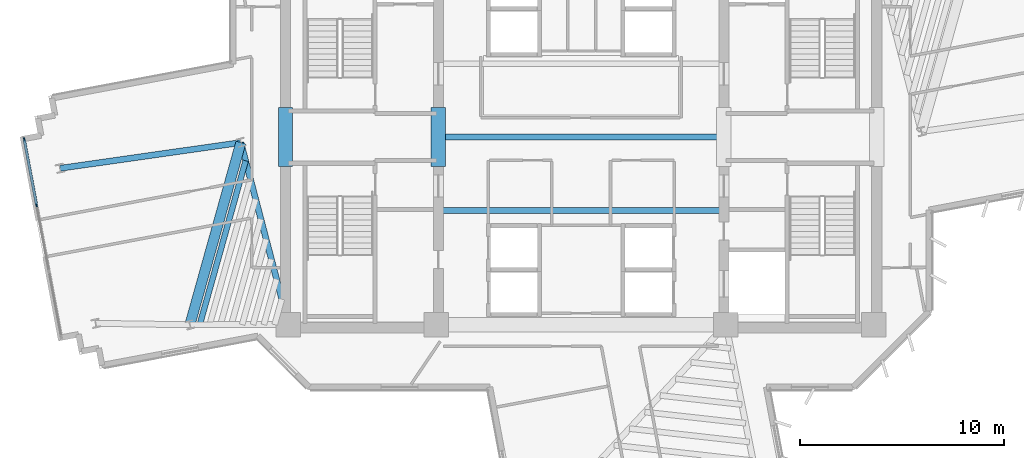
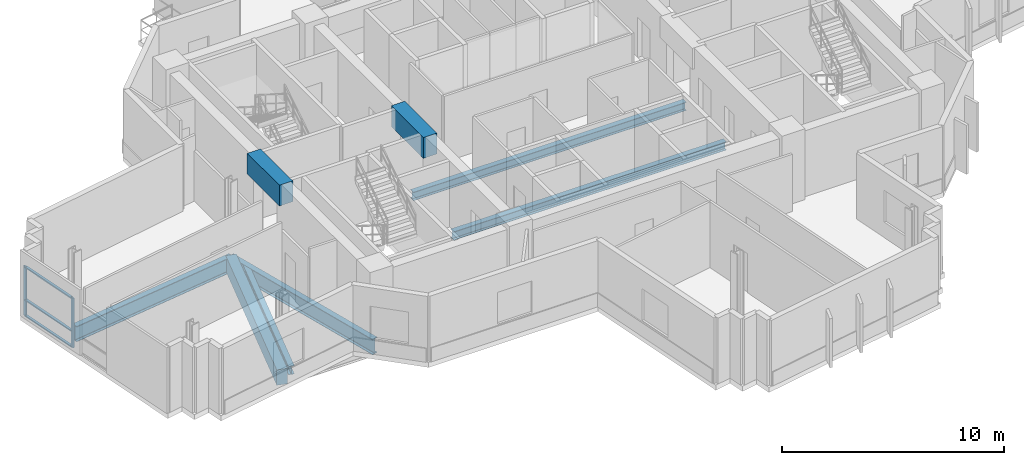
# One storey, part 4 of 16: 8 beams, 5 members, 1 element without a shape of its own.
"""IFC4 building model written with IfcOpenShell, lengths in metres."""

from ifc_helpers import new_model, si_unit, direction, frame, origin, origin_2d, place, context, subcontext, project, spatial, rectangle, i_section, extrude, source, transform, mapped, material, layer, layer_set, material_profile, profile_set, type_object, element, aggregate, save


model = new_model("IFC4")

# Units and contexts
model_context = context("Model", 3, precision=1e-05, world=origin(), true_north=direction((0.0, 1.0)))
body_context = subcontext(model_context, "Body", "Model", "MODEL_VIEW")
ifc_project = project(units=[si_unit("LENGTHUNIT", "METRE"), si_unit("AREAUNIT", "SQUARE_METRE"), si_unit("VOLUMEUNIT", "CUBIC_METRE"), si_unit("PLANEANGLEUNIT", "RADIAN"), si_unit("MASSUNIT", "GRAM", prefix="KILO")], contexts=[model_context])

# Site, building, storey
site_placement = place(None, origin())
site = spatial("IfcSite", under=ifc_project, at=site_placement, CompositionType="ELEMENT")
building_placement = place(site_placement, origin())
building = spatial("IfcBuilding", under=site, at=building_placement, Name="Zahravan Cultural Tower", CompositionType="ELEMENT")
storey_placement = place(building_placement, frame((0.0, 0.0, 151.199951171875)))
storey = spatial("IfcBuildingStorey", under=building, at=storey_placement, Name="L34", CompositionType="ELEMENT", Elevation=151.199951171875)

# Beams
ifc_material_1 = material(Name="Concrete C50/60", Category="concrete")
ifc_material_profile_1 = material_profile(ifc_material_1, rectangle(XDim=0.699951171875, YDim=1.14990234375, at=origin_2d()), Name="RC700X1150")
ifc_profile_set_1 = profile_set([ifc_material_profile_1], Name="Concrete C50/60")
beam_type_1 = type_object("IfcBeamType", Name="BM-LN-RC700X1150", PredefinedType="LINTEL", material=ifc_profile_set_1)
shared_shape_1 = source(origin(), body_context, "Body", "SweptSolid", [
    extrude(rectangle(XDim=0.699951171875, YDim=1.14990234375, at=origin_2d()), origin(), (0.0, 0.0, 1.0), 2.89990234375),
])
for number, where, z_axis, x_axis, name in (
    (1, (21.5, 25.550048828125, 3.045166015625), (0.0, 1.0, 0.0), (-1.0, 0.0, 0.0), "L34 Beam LN-L34-PWW"),
    (2, (29.0, 25.550048828125, 3.045166015625), (0.0, 1.0, 0.0), (-1.0, 0.0, 0.0), "L34 Beam LN-L34-PWE"),
):
    element("IfcBeam", number, at=place(storey_placement, frame(where, z_axis=z_axis, x_axis=x_axis)), inside=storey, type_object=beam_type_1, Name=name, PredefinedType="LINTEL", context=body_context, shape_type="MappedRepresentation", body=[
        mapped(shared_shape_1, transform((0.0, 0.0, 0.0), x_axis=(1.0, 0.0, 0.0), y_axis=(0.0, 1.0, 0.0), z_axis=(0.0, 0.0, 1.0), scale=1.0)),
    ])
ifc_material_profile_2 = material_profile(ifc_material_1, rectangle(XDim=0.5, YDim=0.85009765625, at=origin_2d()), Name="RC500X850")
ifc_profile_set_2 = profile_set([ifc_material_profile_2], Name="Concrete C50/60")
beam_type_2 = type_object("IfcBeamType", Name="BM-SP-RC500X850", PredefinedType="SPANDREL", material=ifc_profile_set_2)
shared_shape_2 = source(origin(), body_context, "Body", "SweptSolid", [
    extrude(rectangle(XDim=0.5, YDim=0.85009765625, at=origin_2d()), origin(), (0.0, 0.0, 1.0), 9.2783203125),
])
beam_1_placement = place(storey_placement, frame((19.315673828125, 26.72900390625, -0.704833984375), z_axis=(-0.269497187032, -0.963001176625, 0.0), x_axis=(0.963001176625, -0.269497187032, 0.0)))
element("IfcBeam", 3, at=beam_1_placement, inside=storey, type_object=beam_type_2, Name="L34 Beam SP-L34-19", PredefinedType="SPANDREL", context=body_context, shape_type="MappedRepresentation", body=[
    mapped(shared_shape_2, transform((0.0, 0.0, 0.0), x_axis=(1.0, 0.0, 0.0), y_axis=(0.0, 1.0, 0.0), z_axis=(0.0, 0.0, 1.0), scale=1.0)),
])
ifc_material_2 = material(Name="Steel ASTM A992 Grade 50", Category="steel")
ifc_material_profile_3 = material_profile(ifc_material_2, i_section(OverallWidth=0.29296875, OverallDepth=0.845947265625, WebThickness=0.015380859375, FlangeThickness=0.0244140625, FilletRadius=0.02001953125, at=origin_2d()), Name="W33X141")
ifc_profile_set_3 = profile_set([ifc_material_profile_3], Name="Steel ASTM A992 Grade 50")
beam_type_3 = type_object("IfcBeamType", Name="BM-G-W33X141", PredefinedType="BEAM", material=ifc_profile_set_3)
shared_shape_3 = source(origin(), body_context, "Body", "SweptSolid", [
    extrude(i_section(OverallWidth=0.29296875, OverallDepth=0.845947265625, WebThickness=0.015380859375, FlangeThickness=0.0244140625, FilletRadius=0.02001953125, at=origin_2d()), origin(), (0.0, 0.0, 1.0), 9.22900390625),
])
beam_2_placement = place(storey_placement, frame((21.64990234375, 17.800048828125, -0.702880859375), z_axis=(-0.252922608408, 0.967486513682, 0.0), x_axis=(-0.967486513682, -0.252922608408, 0.0)))
element("IfcBeam", 4, at=beam_2_placement, inside=storey, type_object=beam_type_3, Name="L34 Beam BG-L34-07", PredefinedType="BEAM", context=body_context, shape_type="MappedRepresentation", body=[
    mapped(shared_shape_3, transform((0.0, 0.0, 0.0), x_axis=(1.0, 0.0, 0.0), y_axis=(0.0, 1.0, 0.0), z_axis=(0.0, 0.0, 1.0), scale=1.0)),
])
shared_shape_4 = source(origin(), body_context, "Body", "SweptSolid", [
    extrude(i_section(OverallWidth=0.29296875, OverallDepth=0.845947265625, WebThickness=0.015380859375, FlangeThickness=0.0244140625, FilletRadius=0.02001953125, at=origin_2d()), origin(), (0.0, 0.0, 1.0), 8.9580078125),
])
beam_3_placement = place(storey_placement, frame((19.315673828125, 26.72900390625, -0.702880859375), z_axis=(-0.990000122431, -0.141066500584, 0.0), x_axis=(0.141066500584, -0.990000122431, 0.0)))
element("IfcBeam", 5, at=beam_3_placement, inside=storey, type_object=beam_type_3, Name="L34 Beam BG-L34-17", PredefinedType="BEAM", context=body_context, shape_type="MappedRepresentation", body=[
    mapped(shared_shape_4, transform((0.0, 0.0, 0.0), x_axis=(1.0, 0.0, 0.0), y_axis=(0.0, 1.0, 0.0), z_axis=(0.0, 0.0, 1.0), scale=1.0)),
])
ifc_material_profile_4 = material_profile(ifc_material_2, i_section(OverallWidth=0.280029296875, OverallDepth=0.462890625, WebThickness=0.0107421875, FlangeThickness=0.017333984375, FilletRadius=0.012939453125, at=origin_2d()), Name="W18X76")
ifc_profile_set_4 = profile_set([ifc_material_profile_4], Name="Steel ASTM A992 Grade 50")
beam_type_4 = type_object("IfcBeamType", Name="BM-J-W18X76", PredefinedType="JOIST", material=ifc_profile_set_4)
shared_shape_5 = source(origin(), body_context, "Body", "SweptSolid", [
    extrude(i_section(OverallWidth=0.280029296875, OverallDepth=0.462890625, WebThickness=0.0107421875, FlangeThickness=0.017333984375, FilletRadius=0.012939453125, at=origin_2d()), origin(), (0.0, 0.0, 1.0), 14.2001953125),
])
for number, where, z_axis, x_axis, name in (
    (6, (28.89990234375, 23.39990234375, -0.511474609375), (1.0, 0.0, 0.0), (0.0, 1.0, 0.0), "L34 Beam BJ-L34-23"),
    (7, (28.89990234375, 27.0, -0.511474609375), (1.0, 0.0, 0.0), (0.0, 1.0, 0.0), "L34 Beam BJ-L34-24"),
):
    element("IfcBeam", number, at=place(storey_placement, frame(where, z_axis=z_axis, x_axis=x_axis)), inside=storey, type_object=beam_type_4, Name=name, PredefinedType="JOIST", context=body_context, shape_type="MappedRepresentation", body=[
        mapped(shared_shape_5, transform((0.0, 0.0, 0.0), x_axis=(1.0, 0.0, 0.0), y_axis=(0.0, 1.0, 0.0), z_axis=(0.0, 0.0, 1.0), scale=1.0)),
    ])
shared_shape_6 = source(origin(), body_context, "Body", "SweptSolid", [
    extrude(i_section(OverallWidth=0.280029296875, OverallDepth=0.462890625, WebThickness=0.0107421875, FlangeThickness=0.017333984375, FilletRadius=0.012939453125, at=origin_2d()), origin(), (0.0, 0.0, 1.0), 8.350830078125),
])
beam_4_placement = place(storey_placement, frame((19.549072265625, 25.836181640625, -0.511474609375), z_axis=(-0.269496539555, -0.963001357822, 0.0), x_axis=(0.963001357822, -0.269496539555, 0.0)))
element("IfcBeam", 8, at=beam_4_placement, inside=storey, type_object=beam_type_4, Name="L34 Beam BJ-L34-33", PredefinedType="JOIST", context=body_context, shape_type="MappedRepresentation", body=[
    mapped(shared_shape_6, transform((0.0, 0.0, 0.0), x_axis=(1.0, 0.0, 0.0), y_axis=(0.0, 1.0, 0.0), z_axis=(0.0, 0.0, 1.0), scale=1.0)),
])

# Curtain wall, members
ifc_material_3 = material(Name="Anodised bronze-aluminium mullion", Category="aluminium")
ifc_layer = layer(ifc_material_3, 0.1650390625)
ifc_layer_set = layer_set([ifc_layer], Name="Anodised bronze-aluminium mullion")
curtain_wall_type = type_object("IfcCurtainWallType", Name="CW-SYS-4", PredefinedType="USERDEFINED", material=ifc_layer_set)
curtain_wall_placement = place(storey_placement, origin())
curtain_wall = element("IfcCurtainWall", 9, at=curtain_wall_placement, inside=storey, type_object=curtain_wall_type, Name="L34 Recessed Curtain Wall CW-4.2", ObjectType="RECESSED GLAZING", PredefinedType="USERDEFINED")
ifc_material_profile_5 = material_profile(ifc_material_3, rectangle(XDim=0.06494140625, YDim=0.1650390625, at=origin_2d()), Name="AL-M65X165")
ifc_profile_set_5 = profile_set([ifc_material_profile_5], Name="Anodised bronze-aluminium mullion")
member_type_1 = type_object("IfcMemberType", Name="CWM-CW-4", PredefinedType="MULLION", material=ifc_profile_set_5)
shared_shape_7 = source(origin(), body_context, "Body", "SweptSolid", [
    extrude(rectangle(XDim=0.06494140625, YDim=0.1650390625, at=origin_2d()), origin(), (0.0, 0.0, 1.0), 2.739990234375),
])
member_1_placement = place(storey_placement, frame((9.296630859375, 23.66552734375, 0.0), z_axis=(0.0, 0.0, 1.0), x_axis=(-0.982806619389, -0.184637885835, 0.0)))
member_1 = element("IfcMember", 10, at=member_1_placement, type_object=member_type_1, Name="CW-4 mullion 3", PredefinedType="MULLION", context=body_context, shape_type="MappedRepresentation", body=[
    mapped(shared_shape_7, transform((0.0, 0.0, 0.0), x_axis=(1.0, 0.0, 0.0), y_axis=(0.0, 1.0, 0.0), z_axis=(0.0, 0.0, 1.0), scale=1.0)),
])
member_2_placement = place(storey_placement, frame((8.69189453125, 26.88330078125, 0.0), z_axis=(0.0, 0.0, 1.0), x_axis=(-0.982806619389, -0.184637885835, 0.0)))
member_2 = element("IfcMember", 11, at=member_2_placement, type_object=member_type_1, Name="CW-4 mullion 4", PredefinedType="MULLION", context=body_context, shape_type="MappedRepresentation", body=[
    mapped(shared_shape_7, transform((0.0, 0.0, 0.0), x_axis=(1.0, 0.0, 0.0), y_axis=(0.0, 1.0, 0.0), z_axis=(0.0, 0.0, 1.0), scale=1.0)),
])
ifc_material_profile_6 = material_profile(ifc_material_3, rectangle(XDim=0.1298828125, YDim=0.06494140625, at=origin_2d()), Name="AL-T65X130")
ifc_profile_set_6 = profile_set([ifc_material_profile_6], Name="Anodised bronze-aluminium mullion")
member_type_2 = type_object("IfcMemberType", Name="CWT-CW-4", PredefinedType="USERDEFINED", material=ifc_profile_set_6)
shared_shape_8 = source(origin(), body_context, "Body", "SweptSolid", [
    extrude(rectangle(XDim=0.1298828125, YDim=0.06494140625, at=origin_2d()), origin(), (0.0, 0.0, 1.0), 3.208984375),
])
member_3_placement = place(storey_placement, frame((9.29052734375, 23.697509765625, 0.032470703125), z_axis=(-0.184646817818, 0.982804941313, 0.0), x_axis=(-0.982804941313, -0.184646817818, 0.0)))
member_3 = element("IfcMember", 12, at=member_3_placement, type_object=member_type_2, Name="CW-4 transom 3.1", ObjectType="TRANSOM", PredefinedType="USERDEFINED", context=body_context, shape_type="MappedRepresentation", body=[
    mapped(shared_shape_8, transform((0.0, 0.0, 0.0), x_axis=(1.0, 0.0, 0.0), y_axis=(0.0, 1.0, 0.0), z_axis=(0.0, 0.0, 1.0), scale=1.0)),
])
member_4_placement = place(storey_placement, frame((9.29052734375, 23.697509765625, 0.900146484375), z_axis=(-0.184646817818, 0.982804941313, 0.0), x_axis=(-0.982804941313, -0.184646817818, 0.0)))
member_4 = element("IfcMember", 13, at=member_4_placement, type_object=member_type_2, Name="CW-4 transom 3.2", ObjectType="TRANSOM", PredefinedType="USERDEFINED", context=body_context, shape_type="MappedRepresentation", body=[
    mapped(shared_shape_8, transform((0.0, 0.0, 0.0), x_axis=(1.0, 0.0, 0.0), y_axis=(0.0, 1.0, 0.0), z_axis=(0.0, 0.0, 1.0), scale=1.0)),
])
member_5_placement = place(storey_placement, frame((9.29052734375, 23.697509765625, 2.70751953125), z_axis=(-0.184646817818, 0.982804941313, 0.0), x_axis=(-0.982804941313, -0.184646817818, 0.0)))
member_5 = element("IfcMember", 14, at=member_5_placement, type_object=member_type_2, Name="CW-4 transom 3.3", ObjectType="TRANSOM", PredefinedType="USERDEFINED", context=body_context, shape_type="MappedRepresentation", body=[
    mapped(shared_shape_8, transform((0.0, 0.0, 0.0), x_axis=(1.0, 0.0, 0.0), y_axis=(0.0, 1.0, 0.0), z_axis=(0.0, 0.0, 1.0), scale=1.0)),
])
aggregate(curtain_wall, [member_1, member_2, member_3, member_4, member_5])

save(model, "model.ifc")
